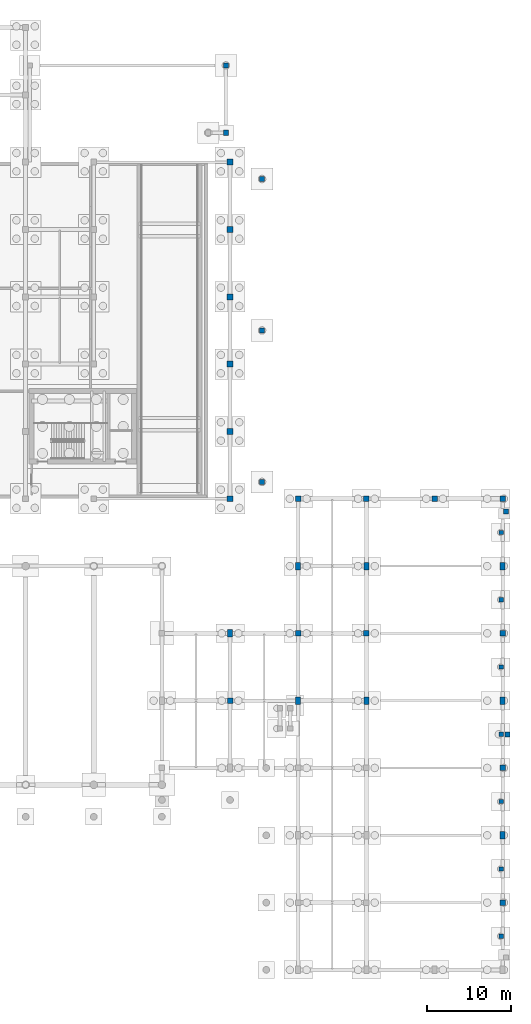
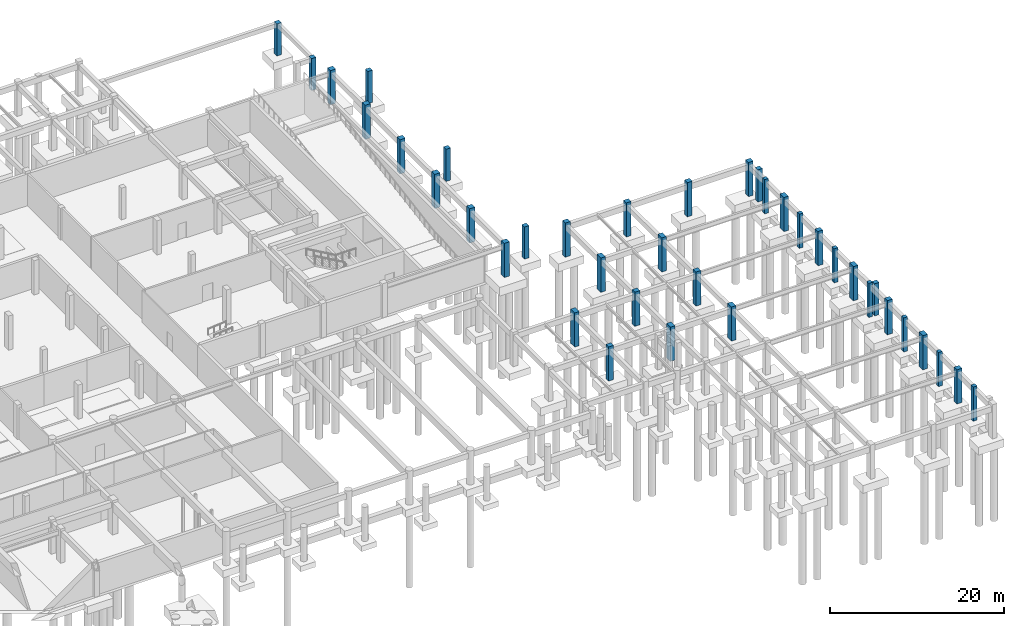
# One storey, part 10 of 25: 38 columns.
"""IFC4 building model written with IfcOpenShell, lengths in metres."""

from ifc_helpers import new_model, si_unit, direction, frame, origin, origin_2d, place, context, subcontext, project, spatial, rectangle, extrude, material, material_profile, profile_set, type_object, element, save


model = new_model("IFC4")

# Units and contexts
model_context = context("Model", 3, precision=1e-05, world=origin(), true_north=direction((0.0, 1.0)))
body_context = subcontext(model_context, "Body", "Model", "MODEL_VIEW")
ifc_project = project(units=[si_unit("LENGTHUNIT", "METRE"), si_unit("AREAUNIT", "SQUARE_METRE"), si_unit("VOLUMEUNIT", "CUBIC_METRE"), si_unit("PLANEANGLEUNIT", "RADIAN"), si_unit("MASSUNIT", "GRAM", prefix="KILO")], contexts=[model_context])

# Site, building, storey
site_placement = place(None, origin())
site = spatial("IfcSite", under=ifc_project, at=site_placement, CompositionType="ELEMENT")
building_placement = place(site_placement, origin())
building = spatial("IfcBuilding", under=site, at=building_placement, Name="Tarnveldt Square Police Headquarters", CompositionType="ELEMENT")
storey_placement = place(building_placement, frame((0.0, 0.0, -4.800048828125)))
storey = spatial("IfcBuildingStorey", under=building, at=storey_placement, Name="B1", CompositionType="ELEMENT", Elevation=-4.800048828125)

# Columns
ifc_material_1 = material(Name="Concrete 40 MPa", Category="concrete")
ifc_material_profile_1 = material_profile(ifc_material_1, rectangle(XDim=0.5, YDim=0.5, at=origin_2d()), Name="RC-C500x500")
ifc_profile_set_1 = profile_set([ifc_material_profile_1], Name="Concrete 40 MPa")
column_type_1 = type_object("IfcColumnType", Name="COL-RC500", PredefinedType="COLUMN", material=ifc_profile_set_1)
for number, where, z_axis, x_axis, name in (
    (1, (161.820068359375, 4.0, 0.0), (0.0, 0.0, 1.0), (1.0, 0.0, 0.0), "East Hall Pilaster Pier 1"),
    (2, (161.820068359375, 12.0, 0.0), (0.0, 0.0, 1.0), (1.0, 0.0, 0.0), "East Hall Pilaster Pier 2"),
    (3, (161.820068359375, 20.0, 0.0), (0.0, 0.0, 1.0), (1.0, 0.0, 0.0), "East Hall Pilaster Pier 3"),
    (4, (161.820068359375, 28.0, 0.0), (0.0, 0.0, 1.0), (1.0, 0.0, 0.0), "East Hall Pilaster Pier 4"),
    (5, (161.820068359375, 36.0, 0.0), (0.0, 0.0, 1.0), (1.0, 0.0, 0.0), "East Hall Pilaster Pier 5"),
    (6, (161.820068359375, 44.0, 0.0), (0.0, 0.0, 1.0), (1.0, 0.0, 0.0), "East Hall Pilaster Pier 6"),
    (7, (161.820068359375, 52.0, 0.0), (0.0, 0.0, 1.0), (1.0, 0.0, 0.0), "East Hall Pilaster Pier 7"),
):
    element("IfcColumn", number, at=place(storey_placement, frame(where, z_axis=z_axis, x_axis=x_axis)), inside=storey, type_object=column_type_1, Name=name, PredefinedType="COLUMN", context=body_context, shape_type="SweptSolid", body=[
        extrude(rectangle(XDim=0.5, YDim=0.5, at=origin_2d()), origin(), (0.0, 0.0, 1.0), 4.800048828125),
    ])
ifc_material_profile_2 = material_profile(ifc_material_1, rectangle(XDim=0.60009765625, YDim=0.60009765625, at=origin_2d()), Name="RC-C600x600")
ifc_profile_set_2 = profile_set([ifc_material_profile_2], Name="Concrete 40 MPa")
column_type_2 = type_object("IfcColumnType", Name="COL-RC600", PredefinedType="COLUMN", material=ifc_profile_set_2)
for number, where, z_axis, x_axis, name in (
    (8, (129.10009765625, 99.5, 0.0), (0.0, 0.0, 1.0), (1.0, 0.0, 0.0), "B1 Column 167"),
    (9, (129.10009765625, 107.5, 0.0), (0.0, 0.0, 1.0), (1.0, 0.0, 0.0), "B1 Column 168"),
    (10, (133.39990234375, 58.0, 0.0), (0.0, 0.0, 1.0), (1.0, 0.0, 0.0), "B1 Column 178"),
    (11, (133.39990234375, 76.0, 0.0), (0.0, 0.0, 1.0), (1.0, 0.0, 0.0), "B1 Column 179"),
    (12, (133.39990234375, 94.0, 0.0), (0.0, 0.0, 1.0), (1.0, 0.0, 0.0), "B1 Column 180"),
    (13, (162.39990234375, 54.5, 0.0), (0.0, 0.0, 1.0), (1.0, 0.0, 0.0), "B1 Column 212"),
    (14, (162.60009765625, 28.0, 0.0), (0.0, 0.0, 1.0), (1.0, 0.0, 0.0), "B1 Column 213"),
):
    element("IfcColumn", number, at=place(storey_placement, frame(where, z_axis=z_axis, x_axis=x_axis)), inside=storey, type_object=column_type_2, Name=name, PredefinedType="COLUMN", context=body_context, shape_type="SweptSolid", body=[
        extrude(rectangle(XDim=0.60009765625, YDim=0.60009765625, at=origin_2d()), origin(), (0.0, 0.0, 1.0), 4.510009765625),
    ])
ifc_material_2 = material(Name="Concrete 50 MPa", Category="concrete")
ifc_material_profile_3 = material_profile(ifc_material_2, rectangle(XDim=0.60009765625, YDim=0.89990234375, at=origin_2d()), Name="RC-C600x900")
ifc_profile_set_3 = profile_set([ifc_material_profile_3], Name="Concrete 50 MPa")
column_type_3 = type_object("IfcColumnType", Name="COL-RC600x900", PredefinedType="COLUMN", material=ifc_profile_set_3)
for number, where, z_axis, x_axis, name in (
    (15, (129.60009765625, 40.0, 0.0), (0.0, 0.0, 1.0), (1.0, 0.0, 0.0), "B1 Column 171"),
    (16, (137.699951171875, 32.0, 0.0), (0.0, 0.0, 1.0), (1.0, 0.0, 0.0), "B1 Column 189"),
    (17, (137.699951171875, 48.0, 0.0), (0.0, 0.0, 1.0), (1.0, 0.0, 0.0), "B1 Column 191"),
    (18, (145.800048828125, 32.0, 0.0), (0.0, 0.0, 1.0), (1.0, 0.0, 0.0), "B1 Column 197"),
    (19, (145.800048828125, 48.0, 0.0), (0.0, 0.0, 1.0), (1.0, 0.0, 0.0), "B1 Column 199"),
    (20, (162.0, 16.0, 0.0), (0.0, 0.0, 1.0), (1.0, 0.0, 0.0), "B1 Column 205"),
    (21, (162.0, 32.0, 0.0), (0.0, 0.0, 1.0), (1.0, 0.0, 0.0), "B1 Column 207"),
    (22, (162.0, 48.0, 0.0), (0.0, 0.0, 1.0), (1.0, 0.0, 0.0), "B1 Column 209"),
):
    element("IfcColumn", number, at=place(storey_placement, frame(where, z_axis=z_axis, x_axis=x_axis)), inside=storey, type_object=column_type_3, Name=name, PredefinedType="COLUMN", context=body_context, shape_type="SweptSolid", body=[
        extrude(rectangle(XDim=0.60009765625, YDim=0.89990234375, at=origin_2d()), origin(), (0.0, 0.0, 1.0), 4.800048828125),
    ])
ifc_material_profile_4 = material_profile(ifc_material_2, rectangle(XDim=0.64990234375, YDim=0.64990234375, at=origin_2d()), Name="RC-C650x650")
ifc_profile_set_4 = profile_set([ifc_material_profile_4], Name="Concrete 50 MPa")
column_type_4 = type_object("IfcColumnType", Name="COL-RC650", PredefinedType="COLUMN", material=ifc_profile_set_4)
for number, where, z_axis, x_axis, name in (
    (23, (129.60009765625, 32.0, 0.0), (0.0, 0.0, 1.0), (1.0, 0.0, 0.0), "B1 Column 170"),
    (24, (137.699951171875, 40.0, 0.0), (0.0, 0.0, 1.0), (1.0, 0.0, 0.0), "B1 Column 190"),
    (25, (137.699951171875, 56.0, 0.0), (0.0, 0.0, 1.0), (1.0, 0.0, 0.0), "B1 Column 192"),
    (26, (145.800048828125, 40.0, 0.0), (0.0, 0.0, 1.0), (1.0, 0.0, 0.0), "B1 Column 198"),
    (27, (145.800048828125, 56.0, 0.0), (0.0, 0.0, 1.0), (1.0, 0.0, 0.0), "B1 Column 200"),
    (28, (153.89990234375, 56.0, 0.0), (0.0, 0.0, 1.0), (1.0, 0.0, 0.0), "B1 Column 202"),
    (29, (162.0, 8.0, 0.0), (0.0, 0.0, 1.0), (1.0, 0.0, 0.0), "B1 Column 204"),
    (30, (162.0, 24.0, 0.0), (0.0, 0.0, 1.0), (1.0, 0.0, 0.0), "B1 Column 206"),
    (31, (162.0, 40.0, 0.0), (0.0, 0.0, 1.0), (1.0, 0.0, 0.0), "B1 Column 208"),
    (32, (162.0, 56.0, 0.0), (0.0, 0.0, 1.0), (1.0, 0.0, 0.0), "B1 Column 210"),
):
    element("IfcColumn", number, at=place(storey_placement, frame(where, z_axis=z_axis, x_axis=x_axis)), inside=storey, type_object=column_type_4, Name=name, PredefinedType="COLUMN", context=body_context, shape_type="SweptSolid", body=[
        extrude(rectangle(XDim=0.64990234375, YDim=0.64990234375, at=origin_2d()), origin(), (0.0, 0.0, 1.0), 4.800048828125),
    ])
ifc_material_profile_5 = material_profile(ifc_material_2, rectangle(XDim=0.699951171875, YDim=0.699951171875, at=origin_2d()), Name="RC-C700x700")
ifc_profile_set_5 = profile_set([ifc_material_profile_5], Name="Concrete 50 MPa")
column_type_5 = type_object("IfcColumnType", Name="COL-RC700", PredefinedType="COLUMN", material=ifc_profile_set_5)
for number, where, z_axis, x_axis, name in (
    (33, (129.60009765625, 56.0, 0.0), (0.0, 0.0, 1.0), (1.0, 0.0, 0.0), "B1 Column 172"),
    (34, (129.60009765625, 64.0, 0.0), (0.0, 0.0, 1.0), (1.0, 0.0, 0.0), "B1 Column 173"),
    (35, (129.60009765625, 72.0, 0.0), (0.0, 0.0, 1.0), (1.0, 0.0, 0.0), "B1 Column 174"),
    (36, (129.60009765625, 80.0, 0.0), (0.0, 0.0, 1.0), (1.0, 0.0, 0.0), "B1 Column 175"),
    (37, (129.60009765625, 88.0, 0.0), (0.0, 0.0, 1.0), (1.0, 0.0, 0.0), "B1 Column 176"),
    (38, (129.60009765625, 96.0, 0.0), (0.0, 0.0, 1.0), (1.0, 0.0, 0.0), "B1 Column 177"),
):
    element("IfcColumn", number, at=place(storey_placement, frame(where, z_axis=z_axis, x_axis=x_axis)), inside=storey, type_object=column_type_5, Name=name, PredefinedType="COLUMN", context=body_context, shape_type="SweptSolid", body=[
        extrude(rectangle(XDim=0.699951171875, YDim=0.699951171875, at=origin_2d()), origin(), (0.0, 0.0, 1.0), 4.800048828125),
    ])

save(model, "model.ifc")
